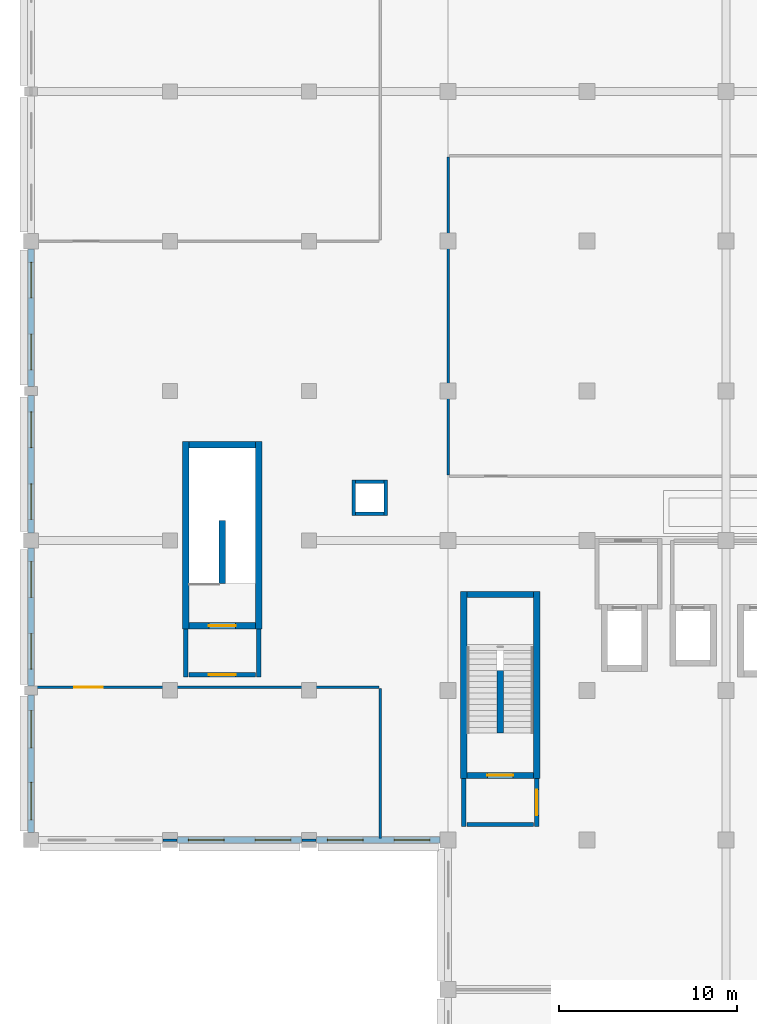
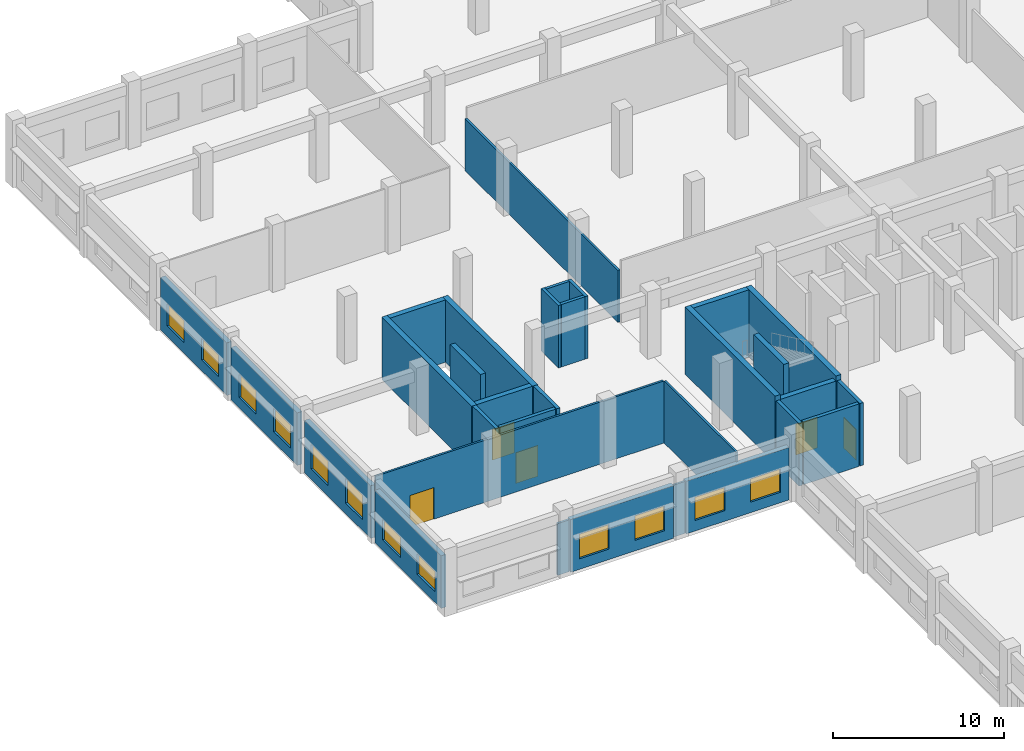
# One storey, part 54 of 79: 31 walls, 12 windows, 5 doors, 17 openings.
"""IFC4 building model written with IfcOpenShell, lengths in metres."""

from ifc_helpers import new_model, si_unit, direction, frame, frame_2d, origin, place, context, subcontext, project, spatial, rectangle, extrude, material, layer, layer_set, type_object, element, fill, save


model = new_model("IFC4")

# Units and contexts
model_context = context("Model", 3, precision=1e-05, world=origin(), true_north=direction((0.0, 1.0)))
body_context = subcontext(model_context, "Body", "Model", "MODEL_VIEW")
ifc_project = project(units=[si_unit("LENGTHUNIT", "METRE"), si_unit("AREAUNIT", "SQUARE_METRE"), si_unit("VOLUMEUNIT", "CUBIC_METRE"), si_unit("PLANEANGLEUNIT", "RADIAN"), si_unit("MASSUNIT", "GRAM", prefix="KILO"), si_unit("THERMODYNAMICTEMPERATUREUNIT", "KELVIN"), si_unit("POWERUNIT", "WATT")], contexts=[model_context])

# Site, building, storey
site_placement = place(None, origin())
site = spatial("IfcSite", under=ifc_project, at=site_placement, CompositionType="ELEMENT")
building_placement = place(site_placement, origin())
building = spatial("IfcBuilding", under=site, at=building_placement, Name="Srebrne Nadtorze General Hospital", CompositionType="ELEMENT")
storey_placement = place(building_placement, frame((0.0, 0.0, 4.800048828125)))
storey = spatial("IfcBuildingStorey", under=building, at=storey_placement, Name="L01", CompositionType="ELEMENT", Elevation=4.800048828125)

# Wall, opening, door
ifc_material_1 = material(Name="Gypsum Healthcare Partition")
ifc_layer_1 = layer(ifc_material_1, 0.139892578125)
ifc_layer_set_1 = layer_set([ifc_layer_1], Name="Gypsum Healthcare Partition")
wall_type_1 = type_object("IfcWallType", Name="Clinical partition 140", PredefinedType="PARTITIONING", material=ifc_layer_set_1)
wall_1_placement = place(storey_placement, frame((0.0849609375, 42.175048828125, 0.0), z_axis=(0.0, 0.0, 1.0), x_axis=(1.0, 0.0, 0.0)))
wall_1 = element("IfcWall", 1, at=wall_1_placement, inside=storey, type_object=wall_type_1, Name="Emergency Short-Stay Ward wall WL-INT-L01-1406", PredefinedType="PARTITIONING", context=body_context, shape_type="SweptSolid", body=[
    extrude(rectangle(XDim=19.429931640625, YDim=0.139892578125, at=frame_2d((9.71484375, 0.0))), origin(), (0.0, 0.0, 1.0), 4.429931640625),
])
opening_1_placement = place(wall_1_placement, frame((2.32958984375, 0.0, 0.0)))
opening_1 = element("IfcOpeningElement", 2, at=opening_1_placement, cuts=wall_1, Name="Opening D-L01-0218", PredefinedType="OPENING", context=body_context, shape_type="SweptSolid", body=[
    extrude(rectangle(XDim=1.60009765625, YDim=2.25, at=frame_2d((0.800048828125, 1.125))), frame((0.0, 0.08203125, 0.0), z_axis=(0.0, -1.0, 0.0), x_axis=(1.0, 0.0, 0.0)), (0.0, 0.0, 1.0), 0.163818359375),
])
ifc_material_2 = material(Name="Anodised Aluminium", Category="aluminium")
door_type_1 = type_object("IfcDoorType", Name="Double leaf door 1600x2250", OperationType="DOUBLE_DOOR_SINGLE_SWING", PredefinedType="DOOR", material=ifc_material_2)
door_1_placement = place(opening_1_placement, frame((1.60009765625, 0.0, 0.0), z_axis=(0.0, 0.0, 1.0), x_axis=(-1.0, 0.0, 0.0)))
door_1 = element("IfcDoor", 3, at=door_1_placement, inside=storey, type_object=door_type_1, Name="Emergency Short-Stay Ward door D-L01-0218", OperationType="DOUBLE_DOOR_SINGLE_SWING", OverallHeight=2.25, OverallWidth=1.60009765625, PredefinedType="DOOR", context=body_context, shape_type="SweptSolid", body=[
    extrude(rectangle(XDim=1.60009765625, YDim=2.25, at=frame_2d((0.800048828125, 1.125))), frame((0.0, 0.02490234375, 0.0), z_axis=(0.0, -1.0, 0.0), x_axis=(1.0, 0.0, 0.0)), (0.0, 0.0, 1.0), 0.050048828125),
])
fill(opening_1, door_1)

# Walls
for number, where, z_axis, x_axis, name in (
    (4, (7.4150390625, 33.60009765625, 0.0), (0.0, 0.0, 1.0), (1.0, 0.0, 0.0), "Emergency Short-Stay Ward wall WL-INT-L01-1407"),
    (5, (15.215087890625, 33.60009765625, 0.0), (0.0, 0.0, 1.0), (1.0, 0.0, 0.0), "Emergency Short-Stay Ward wall WL-INT-L01-1408"),
):
    element("IfcWall", number, at=place(storey_placement, frame(where, z_axis=z_axis, x_axis=x_axis)), inside=storey, type_object=wall_type_1, Name=name, PredefinedType="PARTITIONING", context=body_context, shape_type="SweptSolid", body=[
        extrude(rectangle(XDim=0.77001953125, YDim=0.139892578125, at=frame_2d((0.385009765625, 0.0))), origin(), (0.0, 0.0, 1.0), 3.699951171875),
    ])
wall_2_placement = place(storey_placement, frame((19.60009765625, 33.68505859375, 0.0), z_axis=(0.0, 0.0, 1.0), x_axis=(0.0, 1.0, 0.0)))
element("IfcWall", 6, at=wall_2_placement, inside=storey, type_object=wall_type_1, Name="Emergency Short-Stay Ward wall WL-INT-L01-1409", PredefinedType="PARTITIONING", context=body_context, shape_type="SweptSolid", body=[
    extrude(rectangle(XDim=8.405029296875, YDim=0.139892578125, at=frame_2d((4.20263671875, 0.0))), origin(), (0.0, 0.0, 1.0), 4.429931640625),
])
wall_3_placement = place(storey_placement, frame((23.39990234375, 54.0849609375, 0.0), z_axis=(0.0, 0.0, 1.0), x_axis=(0.0, 1.0, 0.0)))
element("IfcWall", 7, at=wall_3_placement, inside=storey, type_object=wall_type_1, Name="Interventional Radiology Suite wall WL-INT-L01-1437", PredefinedType="PARTITIONING", context=body_context, shape_type="SweptSolid", body=[
    extrude(rectangle(XDim=17.830078125, YDim=0.139892578125, at=frame_2d((8.9150390625, 0.0))), origin(), (0.0, 0.0, 1.0), 3.699951171875),
])
ifc_material_3 = material(Name="Gypsum Healthcare Partition")
ifc_layer_2 = layer(ifc_material_3, 0.199951171875)
ifc_layer_set_2 = layer_set([ifc_layer_2], Name="Gypsum Healthcare Partition")
wall_type_2 = type_object("IfcWallType", Name="Compartment wall 200", PredefinedType="STANDARD", material=ifc_layer_set_2)
for number, where, z_axis, x_axis, name in (
    (8, (18.10009765625, 51.800048828125, 0.0), (0.0, 0.0, 1.0), (0.0, 1.0, 0.0), "MEP riser wall WL-INT-L01-0973"),
    (9, (19.89990234375, 51.800048828125, 0.0), (0.0, 0.0, 1.0), (0.0, 1.0, 0.0), "MEP riser wall WL-INT-L01-0974"),
):
    element("IfcWall", number, at=place(storey_placement, frame(where, z_axis=z_axis, x_axis=x_axis)), inside=storey, type_object=wall_type_2, Name=name, PredefinedType="STANDARD", context=body_context, shape_type="SweptSolid", body=[
        extrude(rectangle(XDim=2.0, YDim=0.199951171875, at=frame_2d((1.0, 0.0))), origin(), (0.0, 0.0, 1.0), 4.449951171875),
    ])
for number, where, z_axis, x_axis, name in (
    (10, (18.199951171875, 51.89990234375, 0.0), (0.0, 0.0, 1.0), (1.0, 0.0, 0.0), "MEP riser wall WL-INT-L01-0975"),
    (11, (18.199951171875, 53.699951171875, 0.0), (0.0, 0.0, 1.0), (1.0, 0.0, 0.0), "MEP riser wall WL-INT-L01-0976"),
):
    element("IfcWall", number, at=place(storey_placement, frame(where, z_axis=z_axis, x_axis=x_axis)), inside=storey, type_object=wall_type_2, Name=name, PredefinedType="STANDARD", context=body_context, shape_type="SweptSolid", body=[
        extrude(rectangle(XDim=1.60009765625, YDim=0.199951171875, at=frame_2d((0.800048828125, 0.0))), origin(), (0.0, 0.0, 1.0), 4.449951171875),
    ])
ifc_material_4 = material(Name="Gypsum Healthcare Partition")
ifc_layer_3 = layer(ifc_material_4, 0.239990234375)
ifc_layer_set_3 = layer_set([ifc_layer_3], Name="Gypsum Healthcare Partition")
wall_type_3 = type_object("IfcWallType", Name="Corridor fire wall 240", PredefinedType="STANDARD", material=ifc_layer_set_3)
wall_4_placement = place(storey_placement, frame((24.27490234375, 34.35498046875, 0.0), z_axis=(0.0, 0.0, 1.0), x_axis=(0.0, 1.0, 0.0)))
element("IfcWall", 12, at=wall_4_placement, inside=storey, type_object=wall_type_3, Name="Fire lobby wall ST-01 WL-INT-L01-0133", PredefinedType="STANDARD", context=body_context, shape_type="SweptSolid", body=[
    extrude(rectangle(XDim=2.695068359375, YDim=0.239990234375, at=frame_2d((1.34765625, 0.0))), origin(), (0.0, 0.0, 1.0), 4.449951171875),
])

# Wall, opening, door
wall_5_placement = place(storey_placement, frame((28.375, 34.35498046875, 0.0), z_axis=(0.0, 0.0, 1.0), x_axis=(0.0, 1.0, 0.0)))
wall_5 = element("IfcWall", 13, at=wall_5_placement, inside=storey, type_object=wall_type_3, Name="Fire lobby wall ST-01 WL-INT-L01-0134", PredefinedType="STANDARD", context=body_context, shape_type="SweptSolid", body=[
    extrude(rectangle(XDim=2.695068359375, YDim=0.239990234375, at=frame_2d((1.34765625, 0.0))), origin(), (0.0, 0.0, 1.0), 4.449951171875),
])
opening_2_placement = place(wall_5_placement, frame((0.62255859375, 0.0, 0.0)))
opening_2 = element("IfcOpeningElement", 14, at=opening_2_placement, cuts=wall_5, Name="Opening D-L01-0034", PredefinedType="OPENING", context=body_context, shape_type="SweptSolid", body=[
    extrude(rectangle(XDim=1.449951171875, YDim=2.199951171875, at=frame_2d((0.72509765625, 1.10009765625))), frame((0.0, 0.1318359375, 0.0), z_axis=(0.0, -1.0, 0.0), x_axis=(1.0, 0.0, 0.0)), (0.0, 0.0, 1.0), 0.263916015625),
])
ifc_material_5 = material(Name="Anodised Aluminium", Category="aluminium")
door_type_2 = type_object("IfcDoorType", Name="Double leaf door 1450x2200", OperationType="DOUBLE_DOOR_SINGLE_SWING", PredefinedType="DOOR", material=ifc_material_5)
door_2_placement = place(opening_2_placement, origin())
door_2 = element("IfcDoor", 15, at=door_2_placement, inside=storey, type_object=door_type_2, Name="Fire lobby door ST-01 D-L01-0034", OperationType="DOUBLE_DOOR_SINGLE_SWING", OverallHeight=2.199951171875, OverallWidth=1.449951171875, PredefinedType="DOOR", context=body_context, shape_type="SweptSolid", body=[
    extrude(rectangle(XDim=1.449951171875, YDim=2.199951171875, at=frame_2d((0.72509765625, 1.10009765625))), frame((0.0, 0.02490234375, 0.0), z_axis=(0.0, -1.0, 0.0), x_axis=(1.0, 0.0, 0.0)), (0.0, 0.0, 1.0), 0.050048828125),
])
fill(opening_2, door_2)

# Walls
wall_6_placement = place(storey_placement, frame((24.449951171875, 34.47509765625, 0.0), z_axis=(0.0, 0.0, 1.0), x_axis=(1.0, 0.0, 0.0)))
element("IfcWall", 16, at=wall_6_placement, inside=storey, type_object=wall_type_3, Name="Fire lobby entry wall ST-01 WL-INT-L01-0135", PredefinedType="STANDARD", context=body_context, shape_type="SweptSolid", body=[
    extrude(rectangle(XDim=3.75, YDim=0.239990234375, at=frame_2d((1.875, 0.0))), origin(), (0.0, 0.0, 1.0), 4.449951171875),
])
for number, where, z_axis, x_axis, name in (
    (17, (8.675048828125, 42.7548828125, 0.0), (0.0, 0.0, 1.0), (0.0, 1.0, 0.0), "Fire lobby wall ST-05 WL-INT-L01-0165"),
    (18, (12.77490234375, 42.7548828125, 0.0), (0.0, 0.0, 1.0), (0.0, 1.0, 0.0), "Fire lobby wall ST-05 WL-INT-L01-0166"),
):
    element("IfcWall", number, at=place(storey_placement, frame(where, z_axis=z_axis, x_axis=x_axis)), inside=storey, type_object=wall_type_3, Name=name, PredefinedType="STANDARD", context=body_context, shape_type="SweptSolid", body=[
        extrude(rectangle(XDim=2.695068359375, YDim=0.239990234375, at=frame_2d((1.34765625, 0.0))), origin(), (0.0, 0.0, 1.0), 4.449951171875),
    ])

# Wall, opening, door
wall_7_placement = place(storey_placement, frame((8.85009765625, 42.875, 0.0), z_axis=(0.0, 0.0, 1.0), x_axis=(1.0, 0.0, 0.0)))
wall_7 = element("IfcWall", 19, at=wall_7_placement, inside=storey, type_object=wall_type_3, Name="Fire lobby entry wall ST-05 WL-INT-L01-0167", PredefinedType="STANDARD", context=body_context, shape_type="SweptSolid", body=[
    extrude(rectangle(XDim=3.75, YDim=0.239990234375, at=frame_2d((1.875, 0.0))), origin(), (0.0, 0.0, 1.0), 4.449951171875),
])
opening_3_placement = place(wall_7_placement, frame((1.125, 0.0, 0.0)))
opening_3 = element("IfcOpeningElement", 20, at=opening_3_placement, cuts=wall_7, Name="Opening D-L01-0042", PredefinedType="OPENING", context=body_context, shape_type="SweptSolid", body=[
    extrude(rectangle(XDim=1.5, YDim=2.199951171875, at=frame_2d((0.75, 1.10009765625))), frame((0.0, 0.1318359375, 0.0), z_axis=(0.0, -1.0, 0.0), x_axis=(1.0, 0.0, 0.0)), (0.0, 0.0, 1.0), 0.263916015625),
])
ifc_material_6 = material(Name="Anodised Aluminium", Category="aluminium")
door_type_3 = type_object("IfcDoorType", Name="Double leaf door 1500x2200", OperationType="DOUBLE_DOOR_SINGLE_SWING", PredefinedType="DOOR", material=ifc_material_6)
door_3_placement = place(opening_3_placement, origin())
door_3 = element("IfcDoor", 21, at=door_3_placement, inside=storey, type_object=door_type_3, Name="Fire lobby door ST-05 D-L01-0042", OperationType="DOUBLE_DOOR_SINGLE_SWING", OverallHeight=2.199951171875, OverallWidth=1.5, PredefinedType="DOOR", context=body_context, shape_type="SweptSolid", body=[
    extrude(rectangle(XDim=1.5, YDim=2.199951171875, at=frame_2d((0.75, 1.10009765625))), frame((0.0, 0.02490234375, 0.0), z_axis=(0.0, -1.0, 0.0), x_axis=(1.0, 0.0, 0.0)), (0.0, 0.0, 1.0), 0.050048828125),
])
fill(opening_3, door_3)

# Walls
ifc_material_7 = material(Name="Concrete C40/50", Category="concrete")
ifc_layer_4 = layer(ifc_material_7, 0.35009765625)
ifc_layer_set_4 = layer_set([ifc_layer_4], Name="Concrete C40/50")
wall_type_4 = type_object("IfcWallType", Name="Shear core wall 350", PredefinedType="SHEAR", material=ifc_layer_set_4)
for number, where, z_axis, x_axis, name in (
    (22, (24.27490234375, 37.050048828125, 0.0), (0.0, 0.0, 1.0), (0.0, 1.0, 0.0), "Stair core wall ST-01 WL-INT-L01-0129"),
    (23, (28.375, 37.050048828125, 0.0), (0.0, 0.0, 1.0), (0.0, 1.0, 0.0), "Stair core wall ST-01 WL-INT-L01-0130"),
):
    element("IfcWall", number, at=place(storey_placement, frame(where, z_axis=z_axis, x_axis=x_axis)), inside=storey, type_object=wall_type_4, Name=name, PredefinedType="SHEAR", context=body_context, shape_type="SweptSolid", body=[
        extrude(rectangle(XDim=10.5, YDim=0.35009765625, at=frame_2d((5.25, 0.0))), origin(), (0.0, 0.0, 1.0), 4.800048828125),
    ])
wall_8_placement = place(storey_placement, frame((24.449951171875, 47.375, 0.0), z_axis=(0.0, 0.0, 1.0), x_axis=(1.0, 0.0, 0.0)))
element("IfcWall", 24, at=wall_8_placement, inside=storey, type_object=wall_type_4, Name="Stair core wall ST-01 WL-INT-L01-0131", PredefinedType="SHEAR", context=body_context, shape_type="SweptSolid", body=[
    extrude(rectangle(XDim=3.75, YDim=0.35009765625, at=frame_2d((1.875, 0.0))), origin(), (0.0, 0.0, 1.0), 4.800048828125),
])

# Wall, opening, door
wall_9_placement = place(storey_placement, frame((24.449951171875, 37.22509765625, 0.0), z_axis=(0.0, 0.0, 1.0), x_axis=(1.0, 0.0, 0.0)))
wall_9 = element("IfcWall", 25, at=wall_9_placement, inside=storey, type_object=wall_type_4, Name="Stairwell fire wall ST-01 WL-INT-L01-0132", PredefinedType="SHEAR", context=body_context, shape_type="SweptSolid", body=[
    extrude(rectangle(XDim=3.75, YDim=0.35009765625, at=frame_2d((1.875, 0.0))), origin(), (0.0, 0.0, 1.0), 4.449951171875),
])
opening_4_placement = place(wall_9_placement, frame((1.14990234375, 0.0, 0.0)))
opening_4 = element("IfcOpeningElement", 26, at=opening_4_placement, cuts=wall_9, Name="Opening D-L01-0033", PredefinedType="OPENING", context=body_context, shape_type="SweptSolid", body=[
    extrude(rectangle(XDim=1.449951171875, YDim=2.199951171875, at=frame_2d((0.72509765625, 1.10009765625))), frame((0.0, 0.18701171875, 0.0), z_axis=(0.0, -1.0, 0.0), x_axis=(1.0, 0.0, 0.0)), (0.0, 0.0, 1.0), 0.3740234375),
])
door_4_placement = place(opening_4_placement, origin())
door_4 = element("IfcDoor", 27, at=door_4_placement, inside=storey, type_object=door_type_2, Name="Protected stair door ST-01 D-L01-0033", OperationType="DOUBLE_DOOR_SINGLE_SWING", OverallHeight=2.199951171875, OverallWidth=1.449951171875, PredefinedType="DOOR", context=body_context, shape_type="SweptSolid", body=[
    extrude(rectangle(XDim=1.449951171875, YDim=2.199951171875, at=frame_2d((0.72509765625, 1.10009765625))), frame((0.0, 0.02490234375, 0.0), z_axis=(0.0, -1.0, 0.0), x_axis=(1.0, 0.0, 0.0)), (0.0, 0.0, 1.0), 0.050048828125),
])
fill(opening_4, door_4)

# Walls
wall_10_placement = place(storey_placement, frame((26.324951171875, 39.60009765625, 0.0), z_axis=(0.0, 0.0, 1.0), x_axis=(0.0, 1.0, 0.0)))
element("IfcWall", 28, at=wall_10_placement, inside=storey, type_object=wall_type_4, Name="Stair spine wall ST-01 WL-INT-L01-0136", PredefinedType="SHEAR", context=body_context, shape_type="SweptSolid", body=[
    extrude(rectangle(XDim=3.52001953125, YDim=0.35009765625, at=frame_2d((1.760009765625, 0.0))), origin(), (0.0, 0.0, 1.0), 4.800048828125),
])
for number, where, z_axis, x_axis, name in (
    (29, (8.675048828125, 45.449951171875, 0.0), (0.0, 0.0, 1.0), (0.0, 1.0, 0.0), "Stair core wall ST-05 WL-INT-L01-0161"),
    (30, (12.77490234375, 45.449951171875, 0.0), (0.0, 0.0, 1.0), (0.0, 1.0, 0.0), "Stair core wall ST-05 WL-INT-L01-0162"),
):
    element("IfcWall", number, at=place(storey_placement, frame(where, z_axis=z_axis, x_axis=x_axis)), inside=storey, type_object=wall_type_4, Name=name, PredefinedType="SHEAR", context=body_context, shape_type="SweptSolid", body=[
        extrude(rectangle(XDim=10.5, YDim=0.35009765625, at=frame_2d((5.25, 0.0))), origin(), (0.0, 0.0, 1.0), 4.449951171875),
    ])
wall_11_placement = place(storey_placement, frame((8.85009765625, 55.77490234375, 0.0), z_axis=(0.0, 0.0, 1.0), x_axis=(1.0, 0.0, 0.0)))
element("IfcWall", 31, at=wall_11_placement, inside=storey, type_object=wall_type_4, Name="Stair core wall ST-05 WL-INT-L01-0163", PredefinedType="SHEAR", context=body_context, shape_type="SweptSolid", body=[
    extrude(rectangle(XDim=3.75, YDim=0.35009765625, at=frame_2d((1.875, 0.0))), origin(), (0.0, 0.0, 1.0), 4.449951171875),
])

# Wall, opening, door
wall_12_placement = place(storey_placement, frame((8.85009765625, 45.625, 0.0), z_axis=(0.0, 0.0, 1.0), x_axis=(1.0, 0.0, 0.0)))
wall_12 = element("IfcWall", 32, at=wall_12_placement, inside=storey, type_object=wall_type_4, Name="Stairwell fire wall ST-05 WL-INT-L01-0164", PredefinedType="SHEAR", context=body_context, shape_type="SweptSolid", body=[
    extrude(rectangle(XDim=3.75, YDim=0.35009765625, at=frame_2d((1.875, 0.0))), origin(), (0.0, 0.0, 1.0), 4.449951171875),
])
opening_5_placement = place(wall_12_placement, frame((1.125, 0.0, 0.0)))
opening_5 = element("IfcOpeningElement", 33, at=opening_5_placement, cuts=wall_12, Name="Opening D-L01-0041", PredefinedType="OPENING", context=body_context, shape_type="SweptSolid", body=[
    extrude(rectangle(XDim=1.5, YDim=2.199951171875, at=frame_2d((0.75, 1.10009765625))), frame((0.0, 0.18701171875, 0.0), z_axis=(0.0, -1.0, 0.0), x_axis=(1.0, 0.0, 0.0)), (0.0, 0.0, 1.0), 0.3740234375),
])
door_5_placement = place(opening_5_placement, origin())
door_5 = element("IfcDoor", 34, at=door_5_placement, inside=storey, type_object=door_type_3, Name="Protected stair door ST-05 D-L01-0041", OperationType="DOUBLE_DOOR_SINGLE_SWING", OverallHeight=2.199951171875, OverallWidth=1.5, PredefinedType="DOOR", context=body_context, shape_type="SweptSolid", body=[
    extrude(rectangle(XDim=1.5, YDim=2.199951171875, at=frame_2d((0.75, 1.10009765625))), frame((0.0, 0.02490234375, 0.0), z_axis=(0.0, -1.0, 0.0), x_axis=(1.0, 0.0, 0.0)), (0.0, 0.0, 1.0), 0.050048828125),
])
fill(opening_5, door_5)

# Wall
wall_13_placement = place(storey_placement, frame((10.72509765625, 48.0, 0.0), z_axis=(0.0, 0.0, 1.0), x_axis=(0.0, 1.0, 0.0)))
element("IfcWall", 35, at=wall_13_placement, inside=storey, type_object=wall_type_4, Name="Stair spine wall ST-05 WL-INT-L01-0168", PredefinedType="SHEAR", context=body_context, shape_type="SweptSolid", body=[
    extrude(rectangle(XDim=3.52001953125, YDim=0.35009765625, at=frame_2d((1.760009765625, 0.0))), origin(), (0.0, 0.0, 1.0), 4.449951171875),
])

# Wall, openings, windows
ifc_material_8 = material(Name="Concrete C35/45", Category="concrete")
ifc_layer_5 = layer(ifc_material_8, 0.320068359375)
ifc_layer_set_5 = layer_set([ifc_layer_5], Name="Concrete C35/45")
wall_type_5 = type_object("IfcWallType", Name="Spandrel wall 320", PredefinedType="STANDARD", material=ifc_layer_set_5)
wall_14_placement = place(storey_placement, frame((8.22509765625, 33.60009765625, 0.0), z_axis=(0.0, 0.0, 1.0), x_axis=(1.0, 0.0, 0.0)))
wall_14 = element("IfcWall", 36, at=wall_14_placement, inside=storey, type_object=wall_type_5, Name="Exterior wall WL-ENV-L01-0157", PredefinedType="STANDARD", context=body_context, shape_type="SweptSolid", body=[
    extrude(rectangle(XDim=6.949951171875, YDim=0.320068359375, at=frame_2d((3.47509765625, 0.0))), origin(), (0.0, 0.0, 1.0), 3.75),
])
opening_6_placement = place(wall_14_placement, frame((0.60302734375, 0.0, 0.75)))
opening_6 = element("IfcOpeningElement", 37, at=opening_6_placement, cuts=wall_14, Name="Opening WN-L01-0135", PredefinedType="OPENING", context=body_context, shape_type="SweptSolid", body=[
    extrude(rectangle(XDim=2.0, YDim=1.75, at=frame_2d((1.0, 0.875))), frame((0.0, 0.171875, 0.0), z_axis=(0.0, -1.0, 0.0), x_axis=(1.0, 0.0, 0.0)), (0.0, 0.0, 1.0), 0.343994140625),
])
opening_7_placement = place(wall_14_placement, frame((4.346923828125, 0.0, 0.75)))
opening_7 = element("IfcOpeningElement", 38, at=opening_7_placement, cuts=wall_14, Name="Opening WN-L01-0136", PredefinedType="OPENING", context=body_context, shape_type="SweptSolid", body=[
    extrude(rectangle(XDim=2.0, YDim=1.75, at=frame_2d((1.0, 0.875))), frame((0.0, 0.171875, 0.0), z_axis=(0.0, -1.0, 0.0), x_axis=(1.0, 0.0, 0.0)), (0.0, 0.0, 1.0), 0.343994140625),
])
ifc_material_9 = material(Name="Triple Low-E Glazing", Category="glass")
window_type_1 = type_object("IfcWindowType", Name="Punched clinical window 2000x1750", PartitioningType="DOUBLE_PANEL_VERTICAL", PredefinedType="WINDOW", material=ifc_material_9)
window_1_placement = place(opening_6_placement, origin())
window_1 = element("IfcWindow", 39, at=window_1_placement, inside=storey, type_object=window_type_1, Name="Clinical window WN-L01-0135", OverallHeight=1.75, OverallWidth=2.0, PartitioningType="DOUBLE_PANEL_VERTICAL", PredefinedType="WINDOW", context=body_context, shape_type="SweptSolid", body=[
    extrude(rectangle(XDim=2.0, YDim=1.75, at=frame_2d((1.0, 0.875))), frame((0.0, 0.030029296875, 0.0), z_axis=(0.0, -1.0, 0.0), x_axis=(1.0, 0.0, 0.0)), (0.0, 0.0, 1.0), 0.06005859375),
])
fill(opening_6, window_1)
window_2_placement = place(opening_7_placement, origin())
window_2 = element("IfcWindow", 40, at=window_2_placement, inside=storey, type_object=window_type_1, Name="Clinical window WN-L01-0136", OverallHeight=1.75, OverallWidth=2.0, PartitioningType="DOUBLE_PANEL_VERTICAL", PredefinedType="WINDOW", context=body_context, shape_type="SweptSolid", body=[
    extrude(rectangle(XDim=2.0, YDim=1.75, at=frame_2d((1.0, 0.875))), frame((0.0, 0.030029296875, 0.0), z_axis=(0.0, -1.0, 0.0), x_axis=(1.0, 0.0, 0.0)), (0.0, 0.0, 1.0), 0.06005859375),
])
fill(opening_7, window_2)

wall_15_placement = place(storey_placement, frame((16.02490234375, 33.60009765625, 0.0), z_axis=(0.0, 0.0, 1.0), x_axis=(1.0, 0.0, 0.0)))
wall_15 = element("IfcWall", 41, at=wall_15_placement, inside=storey, type_object=wall_type_5, Name="Exterior wall WL-ENV-L01-0158", PredefinedType="STANDARD", context=body_context, shape_type="SweptSolid", body=[
    extrude(rectangle(XDim=6.925048828125, YDim=0.320068359375, at=frame_2d((3.46240234375, 0.0))), origin(), (0.0, 0.0, 1.0), 3.75),
])
opening_8_placement = place(wall_15_placement, frame((0.60302734375, 0.0, 0.75)))
opening_8 = element("IfcOpeningElement", 42, at=opening_8_placement, cuts=wall_15, Name="Opening WN-L01-0137", PredefinedType="OPENING", context=body_context, shape_type="SweptSolid", body=[
    extrude(rectangle(XDim=2.0, YDim=1.64990234375, at=frame_2d((1.0, 0.824951171875))), frame((0.0, 0.171875, 0.0), z_axis=(0.0, -1.0, 0.0), x_axis=(1.0, 0.0, 0.0)), (0.0, 0.0, 1.0), 0.343994140625),
])
opening_9_placement = place(wall_15_placement, frame((4.346923828125, 0.0, 0.75)))
opening_9 = element("IfcOpeningElement", 43, at=opening_9_placement, cuts=wall_15, Name="Opening WN-L01-0138", PredefinedType="OPENING", context=body_context, shape_type="SweptSolid", body=[
    extrude(rectangle(XDim=2.0, YDim=1.64990234375, at=frame_2d((1.0, 0.824951171875))), frame((0.0, 0.171875, 0.0), z_axis=(0.0, -1.0, 0.0), x_axis=(1.0, 0.0, 0.0)), (0.0, 0.0, 1.0), 0.343994140625),
])
ifc_material_10 = material(Name="Triple Low-E Glazing", Category="glass")
window_type_2 = type_object("IfcWindowType", Name="Punched clinical window 2000x1650", PartitioningType="DOUBLE_PANEL_VERTICAL", PredefinedType="WINDOW", material=ifc_material_10)
window_3_placement = place(opening_8_placement, origin())
window_3 = element("IfcWindow", 44, at=window_3_placement, inside=storey, type_object=window_type_2, Name="Clinical window WN-L01-0137", OverallHeight=1.64990234375, OverallWidth=2.0, PartitioningType="DOUBLE_PANEL_VERTICAL", PredefinedType="WINDOW", context=body_context, shape_type="SweptSolid", body=[
    extrude(rectangle(XDim=2.0, YDim=1.64990234375, at=frame_2d((1.0, 0.824951171875))), frame((0.0, 0.030029296875, 0.0), z_axis=(0.0, -1.0, 0.0), x_axis=(1.0, 0.0, 0.0)), (0.0, 0.0, 1.0), 0.06005859375),
])
fill(opening_8, window_3)
window_4_placement = place(opening_9_placement, origin())
window_4 = element("IfcWindow", 45, at=window_4_placement, inside=storey, type_object=window_type_2, Name="Clinical window WN-L01-0138", OverallHeight=1.64990234375, OverallWidth=2.0, PartitioningType="DOUBLE_PANEL_VERTICAL", PredefinedType="WINDOW", context=body_context, shape_type="SweptSolid", body=[
    extrude(rectangle(XDim=2.0, YDim=1.64990234375, at=frame_2d((1.0, 0.824951171875))), frame((0.0, 0.030029296875, 0.0), z_axis=(0.0, -1.0, 0.0), x_axis=(1.0, 0.0, 0.0)), (0.0, 0.0, 1.0), 0.06005859375),
])
fill(opening_9, window_4)

wall_16_placement = place(storey_placement, frame((0.0, 34.02490234375, 0.0), z_axis=(0.0, 0.0, 1.0), x_axis=(0.0, 1.0, 0.0)))
wall_16 = element("IfcWall", 46, at=wall_16_placement, inside=storey, type_object=wall_type_5, Name="Exterior wall WL-ENV-L01-0184", PredefinedType="STANDARD", context=body_context, shape_type="SweptSolid", body=[
    extrude(rectangle(XDim=7.72509765625, YDim=0.320068359375, at=frame_2d((3.862548828125, 0.0))), origin(), (0.0, 0.0, 1.0), 3.75),
])
opening_10_placement = place(wall_16_placement, frame((0.708984375, 0.0, 0.75)))
opening_10 = element("IfcOpeningElement", 47, at=opening_10_placement, cuts=wall_16, Name="Opening WN-L01-0188", PredefinedType="OPENING", context=body_context, shape_type="SweptSolid", body=[
    extrude(rectangle(XDim=2.10009765625, YDim=1.449951171875, at=frame_2d((1.050048828125, 0.72509765625))), frame((0.0, 0.171875, 0.0), z_axis=(0.0, -1.0, 0.0), x_axis=(1.0, 0.0, 0.0)), (0.0, 0.0, 1.0), 0.343994140625),
])
opening_11_placement = place(wall_16_placement, frame((4.740966796875, 0.0, 0.75)))
opening_11 = element("IfcOpeningElement", 48, at=opening_11_placement, cuts=wall_16, Name="Opening WN-L01-0189", PredefinedType="OPENING", context=body_context, shape_type="SweptSolid", body=[
    extrude(rectangle(XDim=2.10009765625, YDim=1.449951171875, at=frame_2d((1.050048828125, 0.72509765625))), frame((0.0, 0.171875, 0.0), z_axis=(0.0, -1.0, 0.0), x_axis=(1.0, 0.0, 0.0)), (0.0, 0.0, 1.0), 0.343994140625),
])
ifc_material_11 = material(Name="Triple Low-E Glazing", Category="glass")
window_type_3 = type_object("IfcWindowType", Name="Punched clinical window 2100x1450", PartitioningType="DOUBLE_PANEL_VERTICAL", PredefinedType="WINDOW", material=ifc_material_11)
window_5_placement = place(opening_10_placement, origin())
window_5 = element("IfcWindow", 49, at=window_5_placement, inside=storey, type_object=window_type_3, Name="Clinical window WN-L01-0188", OverallHeight=1.449951171875, OverallWidth=2.10009765625, PartitioningType="DOUBLE_PANEL_VERTICAL", PredefinedType="WINDOW", context=body_context, shape_type="SweptSolid", body=[
    extrude(rectangle(XDim=2.10009765625, YDim=1.449951171875, at=frame_2d((1.050048828125, 0.72509765625))), frame((0.0, 0.030029296875, 0.0), z_axis=(0.0, -1.0, 0.0), x_axis=(1.0, 0.0, 0.0)), (0.0, 0.0, 1.0), 0.06005859375),
])
fill(opening_10, window_5)
window_6_placement = place(opening_11_placement, origin())
window_6 = element("IfcWindow", 50, at=window_6_placement, inside=storey, type_object=window_type_3, Name="Clinical window WN-L01-0189", OverallHeight=1.449951171875, OverallWidth=2.10009765625, PartitioningType="DOUBLE_PANEL_VERTICAL", PredefinedType="WINDOW", context=body_context, shape_type="SweptSolid", body=[
    extrude(rectangle(XDim=2.10009765625, YDim=1.449951171875, at=frame_2d((1.050048828125, 0.72509765625))), frame((0.0, 0.030029296875, 0.0), z_axis=(0.0, -1.0, 0.0), x_axis=(1.0, 0.0, 0.0)), (0.0, 0.0, 1.0), 0.06005859375),
])
fill(opening_11, window_6)

wall_17_placement = place(storey_placement, frame((0.0, 42.25, 0.0), z_axis=(0.0, 0.0, 1.0), x_axis=(0.0, 1.0, 0.0)))
wall_17 = element("IfcWall", 51, at=wall_17_placement, inside=storey, type_object=wall_type_5, Name="Exterior wall WL-ENV-L01-0185", PredefinedType="STANDARD", context=body_context, shape_type="SweptSolid", body=[
    extrude(rectangle(XDim=7.72509765625, YDim=0.320068359375, at=frame_2d((3.862548828125, 0.0))), origin(), (0.0, 0.0, 1.0), 3.75),
])
opening_12_placement = place(wall_17_placement, frame((0.93408203125, 0.0, 0.75)))
opening_12 = element("IfcOpeningElement", 52, at=opening_12_placement, cuts=wall_17, Name="Opening WN-L01-0190", PredefinedType="OPENING", context=body_context, shape_type="SweptSolid", body=[
    extrude(rectangle(XDim=2.0, YDim=1.75, at=frame_2d((1.0, 0.875))), frame((0.0, 0.171875, 0.0), z_axis=(0.0, -1.0, 0.0), x_axis=(1.0, 0.0, 0.0)), (0.0, 0.0, 1.0), 0.343994140625),
])
opening_13_placement = place(wall_17_placement, frame((4.966064453125, 0.0, 0.75)))
opening_13 = element("IfcOpeningElement", 53, at=opening_13_placement, cuts=wall_17, Name="Opening WN-L01-0191", PredefinedType="OPENING", context=body_context, shape_type="SweptSolid", body=[
    extrude(rectangle(XDim=2.0, YDim=1.75, at=frame_2d((1.0, 0.875))), frame((0.0, 0.171875, 0.0), z_axis=(0.0, -1.0, 0.0), x_axis=(1.0, 0.0, 0.0)), (0.0, 0.0, 1.0), 0.343994140625),
])
window_7_placement = place(opening_12_placement, origin())
window_7 = element("IfcWindow", 54, at=window_7_placement, inside=storey, type_object=window_type_1, Name="Clinical window WN-L01-0190", OverallHeight=1.75, OverallWidth=2.0, PartitioningType="DOUBLE_PANEL_VERTICAL", PredefinedType="WINDOW", context=body_context, shape_type="SweptSolid", body=[
    extrude(rectangle(XDim=2.0, YDim=1.75, at=frame_2d((1.0, 0.875))), frame((0.0, 0.030029296875, 0.0), z_axis=(0.0, -1.0, 0.0), x_axis=(1.0, 0.0, 0.0)), (0.0, 0.0, 1.0), 0.06005859375),
])
fill(opening_12, window_7)
window_8_placement = place(opening_13_placement, origin())
window_8 = element("IfcWindow", 55, at=window_8_placement, inside=storey, type_object=window_type_1, Name="Clinical window WN-L01-0191", OverallHeight=1.75, OverallWidth=2.0, PartitioningType="DOUBLE_PANEL_VERTICAL", PredefinedType="WINDOW", context=body_context, shape_type="SweptSolid", body=[
    extrude(rectangle(XDim=2.0, YDim=1.75, at=frame_2d((1.0, 0.875))), frame((0.0, 0.030029296875, 0.0), z_axis=(0.0, -1.0, 0.0), x_axis=(1.0, 0.0, 0.0)), (0.0, 0.0, 1.0), 0.06005859375),
])
fill(opening_13, window_8)

wall_18_placement = place(storey_placement, frame((0.0, 50.824951171875, 0.0), z_axis=(0.0, 0.0, 1.0), x_axis=(0.0, 1.0, 0.0)))
wall_18 = element("IfcWall", 56, at=wall_18_placement, inside=storey, type_object=wall_type_5, Name="Exterior wall WL-ENV-L01-0186", PredefinedType="STANDARD", context=body_context, shape_type="SweptSolid", body=[
    extrude(rectangle(XDim=7.72509765625, YDim=0.320068359375, at=frame_2d((3.862548828125, 0.0))), origin(), (0.0, 0.0, 1.0), 3.75),
])
opening_14_placement = place(wall_18_placement, frame((0.759033203125, 0.0, 0.75)))
opening_14 = element("IfcOpeningElement", 57, at=opening_14_placement, cuts=wall_18, Name="Opening WN-L01-0192", PredefinedType="OPENING", context=body_context, shape_type="SweptSolid", body=[
    extrude(rectangle(XDim=2.0, YDim=1.64990234375, at=frame_2d((1.0, 0.824951171875))), frame((0.0, 0.171875, 0.0), z_axis=(0.0, -1.0, 0.0), x_axis=(1.0, 0.0, 0.0)), (0.0, 0.0, 1.0), 0.343994140625),
])
opening_15_placement = place(wall_18_placement, frame((4.791015625, 0.0, 0.75)))
opening_15 = element("IfcOpeningElement", 58, at=opening_15_placement, cuts=wall_18, Name="Opening WN-L01-0193", PredefinedType="OPENING", context=body_context, shape_type="SweptSolid", body=[
    extrude(rectangle(XDim=2.0, YDim=1.64990234375, at=frame_2d((1.0, 0.824951171875))), frame((0.0, 0.171875, 0.0), z_axis=(0.0, -1.0, 0.0), x_axis=(1.0, 0.0, 0.0)), (0.0, 0.0, 1.0), 0.343994140625),
])
window_9_placement = place(opening_14_placement, origin())
window_9 = element("IfcWindow", 59, at=window_9_placement, inside=storey, type_object=window_type_2, Name="Clinical window WN-L01-0192", OverallHeight=1.64990234375, OverallWidth=2.0, PartitioningType="DOUBLE_PANEL_VERTICAL", PredefinedType="WINDOW", context=body_context, shape_type="SweptSolid", body=[
    extrude(rectangle(XDim=2.0, YDim=1.64990234375, at=frame_2d((1.0, 0.824951171875))), frame((0.0, 0.030029296875, 0.0), z_axis=(0.0, -1.0, 0.0), x_axis=(1.0, 0.0, 0.0)), (0.0, 0.0, 1.0), 0.06005859375),
])
fill(opening_14, window_9)
window_10_placement = place(opening_15_placement, origin())
window_10 = element("IfcWindow", 60, at=window_10_placement, inside=storey, type_object=window_type_2, Name="Clinical window WN-L01-0193", OverallHeight=1.64990234375, OverallWidth=2.0, PartitioningType="DOUBLE_PANEL_VERTICAL", PredefinedType="WINDOW", context=body_context, shape_type="SweptSolid", body=[
    extrude(rectangle(XDim=2.0, YDim=1.64990234375, at=frame_2d((1.0, 0.824951171875))), frame((0.0, 0.030029296875, 0.0), z_axis=(0.0, -1.0, 0.0), x_axis=(1.0, 0.0, 0.0)), (0.0, 0.0, 1.0), 0.06005859375),
])
fill(opening_15, window_10)

wall_19_placement = place(storey_placement, frame((0.0, 59.050048828125, 0.0), z_axis=(0.0, 0.0, 1.0), x_axis=(0.0, 1.0, 0.0)))
wall_19 = element("IfcWall", 61, at=wall_19_placement, inside=storey, type_object=wall_type_5, Name="Exterior wall WL-ENV-L01-0187", PredefinedType="STANDARD", context=body_context, shape_type="SweptSolid", body=[
    extrude(rectangle(XDim=7.724853515625, YDim=0.320068359375, at=frame_2d((3.8623046875, 0.0))), origin(), (0.0, 0.0, 1.0), 3.75),
])
opening_16_placement = place(wall_19_placement, frame((0.93408203125, 0.0, 0.75)))
opening_16 = element("IfcOpeningElement", 62, at=opening_16_placement, cuts=wall_19, Name="Opening WN-L01-0194", PredefinedType="OPENING", context=body_context, shape_type="SweptSolid", body=[
    extrude(rectangle(XDim=2.0, YDim=1.550048828125, at=frame_2d((1.0, 0.77490234375))), frame((0.0, 0.171875, 0.0), z_axis=(0.0, -1.0, 0.0), x_axis=(1.0, 0.0, 0.0)), (0.0, 0.0, 1.0), 0.343994140625),
])
opening_17_placement = place(wall_19_placement, frame((4.966064453125, 0.0, 0.75)))
opening_17 = element("IfcOpeningElement", 63, at=opening_17_placement, cuts=wall_19, Name="Opening WN-L01-0195", PredefinedType="OPENING", context=body_context, shape_type="SweptSolid", body=[
    extrude(rectangle(XDim=2.0, YDim=1.550048828125, at=frame_2d((1.0, 0.77490234375))), frame((0.0, 0.171875, 0.0), z_axis=(0.0, -1.0, 0.0), x_axis=(1.0, 0.0, 0.0)), (0.0, 0.0, 1.0), 0.343994140625),
])
ifc_material_12 = material(Name="Triple Low-E Glazing", Category="glass")
window_type_4 = type_object("IfcWindowType", Name="Punched clinical window 2000x1550", PartitioningType="DOUBLE_PANEL_VERTICAL", PredefinedType="WINDOW", material=ifc_material_12)
window_11_placement = place(opening_16_placement, origin())
window_11 = element("IfcWindow", 64, at=window_11_placement, inside=storey, type_object=window_type_4, Name="Clinical window WN-L01-0194", OverallHeight=1.550048828125, OverallWidth=2.0, PartitioningType="DOUBLE_PANEL_VERTICAL", PredefinedType="WINDOW", context=body_context, shape_type="SweptSolid", body=[
    extrude(rectangle(XDim=2.0, YDim=1.550048828125, at=frame_2d((1.0, 0.77490234375))), frame((0.0, 0.030029296875, 0.0), z_axis=(0.0, -1.0, 0.0), x_axis=(1.0, 0.0, 0.0)), (0.0, 0.0, 1.0), 0.06005859375),
])
fill(opening_16, window_11)
window_12_placement = place(opening_17_placement, origin())
window_12 = element("IfcWindow", 65, at=window_12_placement, inside=storey, type_object=window_type_4, Name="Clinical window WN-L01-0195", OverallHeight=1.550048828125, OverallWidth=2.0, PartitioningType="DOUBLE_PANEL_VERTICAL", PredefinedType="WINDOW", context=body_context, shape_type="SweptSolid", body=[
    extrude(rectangle(XDim=2.0, YDim=1.550048828125, at=frame_2d((1.0, 0.77490234375))), frame((0.0, 0.030029296875, 0.0), z_axis=(0.0, -1.0, 0.0), x_axis=(1.0, 0.0, 0.0)), (0.0, 0.0, 1.0), 0.06005859375),
])
fill(opening_17, window_12)

save(model, "model.ifc")
